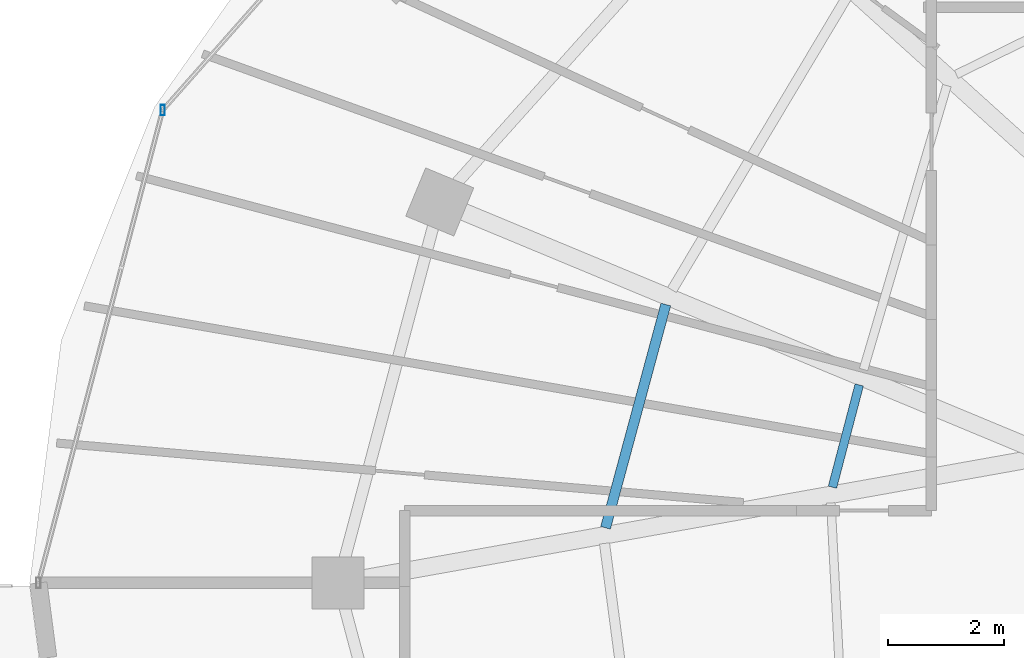
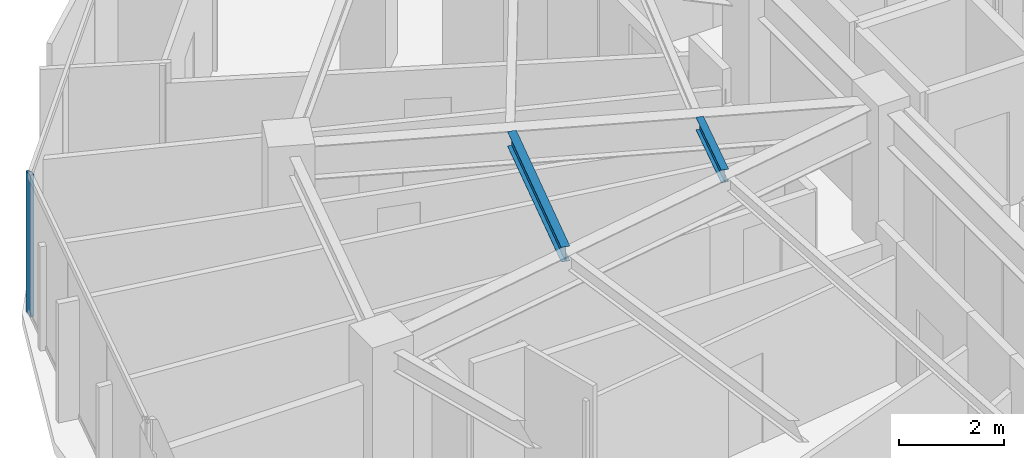
# One storey, part 9 of 33: 2 beams, 1 member, 1 element without a shape of its own.
"""IFC4 building model written with IfcOpenShell, lengths in metres."""

from ifc_helpers import new_model, si_unit, direction, frame, origin, origin_2d, place, context, subcontext, project, spatial, hollow_rectangle, i_section, extrude, material, material_profile, profile_set, type_object, element, aggregate, save


model = new_model("IFC4")

# Units and contexts
model_context = context("Model", 3, precision=1e-05, world=origin(), true_north=direction((0.0, 1.0)))
body_context = subcontext(model_context, "Body", "Model", "MODEL_VIEW")
ifc_project = project(units=[si_unit("LENGTHUNIT", "METRE"), si_unit("AREAUNIT", "SQUARE_METRE"), si_unit("VOLUMEUNIT", "CUBIC_METRE"), si_unit("PLANEANGLEUNIT", "RADIAN"), si_unit("MASSUNIT", "GRAM", prefix="KILO")], contexts=[model_context])

# Site, building, storey
site_placement = place(None, origin())
site = spatial("IfcSite", under=ifc_project, at=site_placement, CompositionType="ELEMENT")
building_placement = place(site_placement, origin())
building = spatial("IfcBuilding", under=site, at=building_placement, Name="Vorneva Point Tower", CompositionType="ELEMENT")
storey_placement = place(building_placement, frame((0.0, 0.0, 179.10009765625)))
storey = spatial("IfcBuildingStorey", under=building, at=storey_placement, Name="L48", CompositionType="ELEMENT", Elevation=179.10009765625)

# Beams
ifc_material_1 = material(Name="Steel S355", Category="steel")
ifc_material_profile_1 = material_profile(ifc_material_1, i_section(OverallWidth=0.14892578125, OverallDepth=0.298095703125, WebThickness=0.005615234375, FlangeThickness=0.008056640625, at=origin_2d()), Name="30B1")
ifc_profile_set_1 = profile_set([ifc_material_profile_1], Name="Steel S355")
beam_type_1 = type_object("IfcBeamType", Name="BM-JST-30B1", PredefinedType="JOIST", material=ifc_profile_set_1)
beam_1_placement = place(storey_placement, frame((23.952880859375, 29.422119140625, 3.0908203125), z_axis=(-0.25336832433, -0.967369883874, 0.0), x_axis=(0.967369883874, -0.25336832433, 0.0)))
element("IfcBeam", 1, at=beam_1_placement, inside=storey, type_object=beam_type_1, Name="L48 Secondary Floor Beam 2.08", PredefinedType="JOIST", context=body_context, shape_type="SweptSolid", body=[
    extrude(i_section(OverallWidth=0.14892578125, OverallDepth=0.298095703125, WebThickness=0.005615234375, FlangeThickness=0.008056640625, at=origin_2d()), origin(), (0.0, 0.0, 1.0), 1.826904296875),
])
ifc_material_profile_2 = material_profile(ifc_material_1, i_section(OverallWidth=0.174072265625, OverallDepth=0.345947265625, WebThickness=0.006103515625, FlangeThickness=0.009033203125, at=origin_2d()), Name="35B1")
ifc_profile_set_2 = profile_set([ifc_material_profile_2], Name="Steel S355")
beam_type_2 = type_object("IfcBeamType", Name="BM-SEC-35B1", PredefinedType="BEAM", material=ifc_profile_set_2)
beam_2_placement = place(storey_placement, frame((20.61083984375, 30.810791015625, 3.06689453125), z_axis=(-0.260635102056, -0.965437384596, 0.0), x_axis=(0.965437384596, -0.260635102056, 0.0)))
element("IfcBeam", 2, at=beam_2_placement, inside=storey, type_object=beam_type_2, Name="L48 Secondary Floor Beam 1.08", PredefinedType="BEAM", context=body_context, shape_type="SweptSolid", body=[
    extrude(i_section(OverallWidth=0.174072265625, OverallDepth=0.345947265625, WebThickness=0.006103515625, FlangeThickness=0.009033203125, at=origin_2d()), origin(), (0.0, 0.0, 1.0), 3.99609375),
])

# Curtain wall, member
ifc_material_2 = material(Name="Pale anodised aluminium", Category="aluminium")
curtain_wall_type = type_object("IfcCurtainWallType", Name="CW-RES-SYS", PredefinedType="NOTDEFINED", material=ifc_material_2)
curtain_wall_placement = place(storey_placement, origin())
curtain_wall = element("IfcCurtainWall", 3, at=curtain_wall_placement, inside=storey, type_object=curtain_wall_type, Name="L48 Unitised Curtain Wall CW-L48-R02", PredefinedType="NOTDEFINED")
ifc_material_profile_3 = material_profile(ifc_material_2, hollow_rectangle(XDim=0.074951171875, YDim=0.179931640625, WallThickness=0.00390625, at=origin_2d()), Name="AL-MUL 180x75x4")
ifc_profile_set_3 = profile_set([ifc_material_profile_3], Name="Pale anodised aluminium")
member_type = type_object("IfcMemberType", Name="CW-MUL-180", PredefinedType="MULLION", material=ifc_profile_set_3)
member_placement = place(storey_placement, frame((11.9189453125, 34.17041015625, -0.0400390625), z_axis=(0.0, 0.0, 1.0), x_axis=(1.0, 0.0, 0.0)))
member = element("IfcMember", 4, at=member_placement, type_object=member_type, Name="CW-L48-R02 Mullion 02", PredefinedType="MULLION", context=body_context, shape_type="SweptSolid", body=[
    extrude(hollow_rectangle(XDim=0.074951171875, YDim=0.179931640625, WallThickness=0.00390625, at=origin_2d()), origin(), (0.0, 0.0, 1.0), 3.31005859375),
])
aggregate(curtain_wall, [member])

save(model, "model.ifc")
